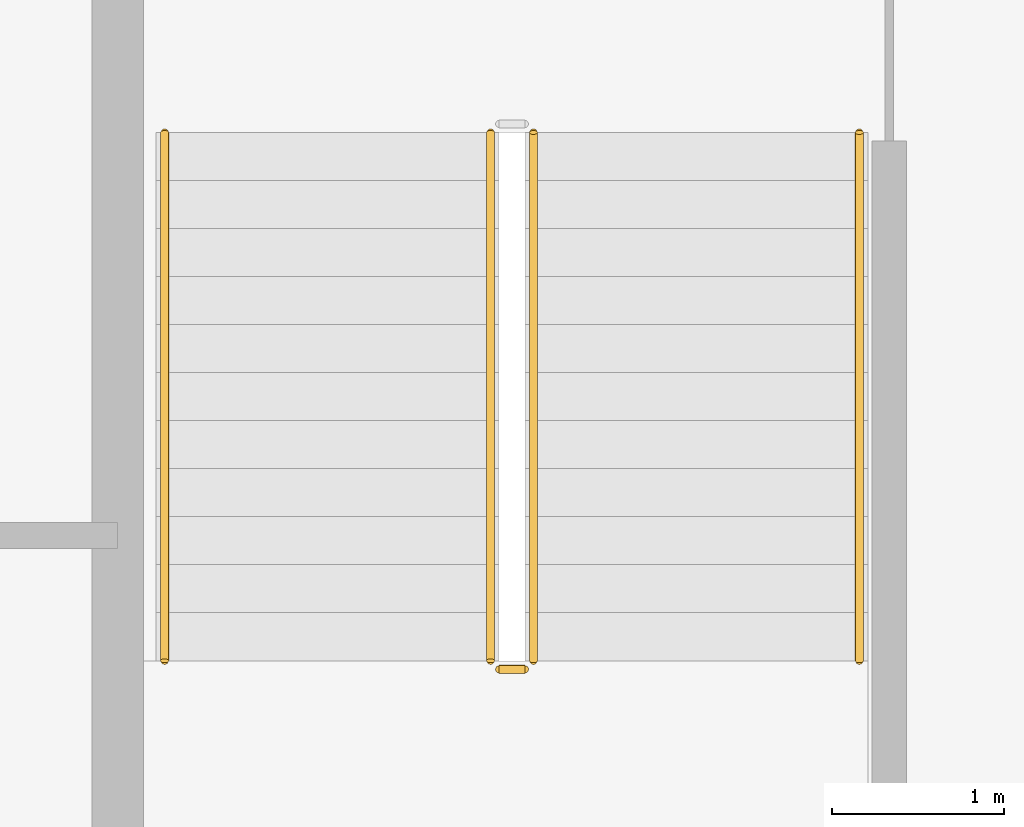
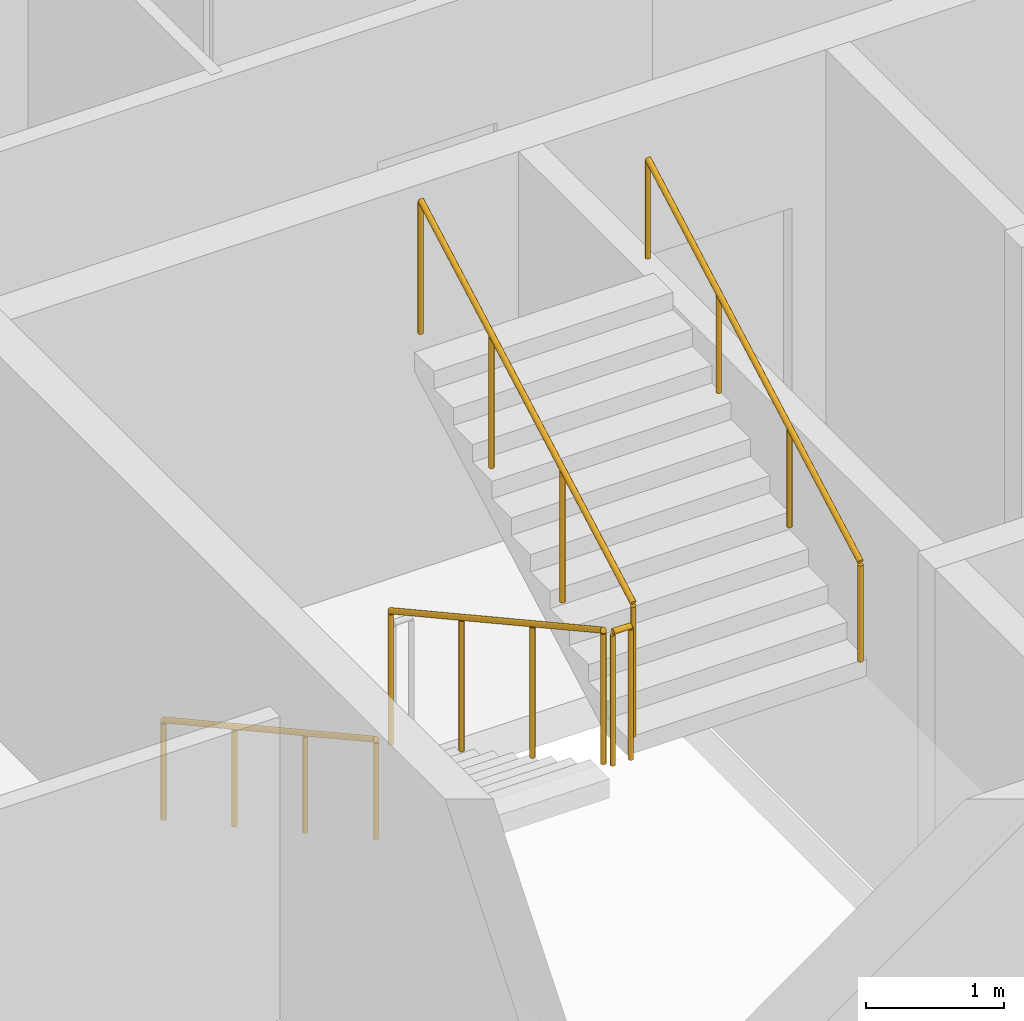
# One storey, part 9 of 11: 5 railings.
"""IFC4 building model written with IfcOpenShell, lengths in metres."""

from ifc_helpers import new_model, si_unit, direction, frame, origin, origin_2d, place, context, subcontext, project, spatial, circle, extrude, material, type_object, element, save


model = new_model("IFC4")

# Units and contexts
model_context = context("Model", 3, precision=1e-05, world=origin(), true_north=direction((0.0, 1.0)))
body_context = subcontext(model_context, "Body", "Model", "MODEL_VIEW")
ifc_project = project(units=[si_unit("LENGTHUNIT", "METRE"), si_unit("AREAUNIT", "SQUARE_METRE"), si_unit("VOLUMEUNIT", "CUBIC_METRE"), si_unit("PLANEANGLEUNIT", "RADIAN"), si_unit("MASSUNIT", "GRAM", prefix="KILO")], contexts=[model_context])

# Site, building, storey
site_placement = place(None, origin())
site = spatial("IfcSite", under=ifc_project, at=site_placement, CompositionType="ELEMENT")
building_placement = place(site_placement, origin())
building = spatial("IfcBuilding", under=site, at=building_placement, Name="Caravel Reach Hotel and Residences", CompositionType="ELEMENT")
storey_placement = place(building_placement, frame((0.0, 0.0, 271.199951171875)))
storey = spatial("IfcBuildingStorey", under=building, at=storey_placement, Name="L69", CompositionType="ELEMENT", Elevation=271.199951171875)

# Railings
ifc_material_1 = material(Name="Steel balustrade with glass infill", Category="steel")
railing_type_1 = type_object("IfcRailingType", Name="Guard 1200", PredefinedType="GUARDRAIL", material=ifc_material_1)
railing_1_placement = place(storey_placement, frame((20.175048828125, 29.35009765625, 0.154296875)))
element("IfcRailing", 1, at=railing_1_placement, inside=storey, type_object=railing_type_1, Name="L69 ST-A stair guard 1", PredefinedType="GUARDRAIL", context=body_context, shape_type="SweptSolid", body=[
    extrude(circle(Radius=0.02392578125, at=origin_2d()), frame((0.0, 0.0, 1.17578125), z_axis=(0.0, -0.876004717809, 0.482302534076), x_axis=(1.0, 0.0, 0.0)), (0.0, 0.0, 1.0), 3.51611328125),
    extrude(circle(Radius=0.02099609375, at=origin_2d()), origin(), (0.0, 0.0, 1.0), 1.15185546875),
    extrude(circle(Radius=0.02099609375, at=origin_2d()), frame((0.0, -1.026611328125, 0.565185546875)), (0.0, 0.0, 1.0), 1.15185546875),
    extrude(circle(Radius=0.02099609375, at=origin_2d()), frame((0.0, -2.053466796875, 1.130615234375)), (0.0, 0.0, 1.0), 1.15185546875),
    extrude(circle(Radius=0.02099609375, at=origin_2d()), frame((0.0, -3.080078125, 1.69580078125)), (0.0, 0.0, 1.0), 1.15185546875),
])
railing_2_placement = place(storey_placement, frame((20.22509765625, 26.219970703125, 1.85009765625)))
element("IfcRailing", 2, at=railing_2_placement, inside=storey, type_object=railing_type_1, Name="L69 ST-A stair guard 2", PredefinedType="GUARDRAIL", context=body_context, shape_type="SweptSolid", body=[
    extrude(circle(Radius=0.02392578125, at=origin_2d()), frame((0.0, 0.0, 1.17578125), z_axis=(1.0, 0.0, 0.0), x_axis=(0.0, 1.0, 0.0)), (0.0, 0.0, 1.0), 0.14990234375),
    extrude(circle(Radius=0.02099609375, at=origin_2d()), origin(), (0.0, 0.0, 1.0), 1.15185546875),
    extrude(circle(Radius=0.02099609375, at=origin_2d()), frame((0.14990234375, 0.0, 0.0)), (0.0, 0.0, 1.0), 1.15185546875),
])
railing_3_placement = place(storey_placement, frame((20.425048828125, 26.27001953125, 2.004150390625)))
element("IfcRailing", 3, at=railing_3_placement, inside=storey, type_object=railing_type_1, Name="L69 ST-A stair guard 3", PredefinedType="GUARDRAIL", context=body_context, shape_type="SweptSolid", body=[
    extrude(circle(Radius=0.02392578125, at=origin_2d()), frame((0.0, 0.0, 1.17578125), z_axis=(0.0, 0.876004717809, 0.482302534076), x_axis=(-1.0, 0.0, 0.0)), (0.0, 0.0, 1.0), 3.51611328125),
    extrude(circle(Radius=0.02099609375, at=origin_2d()), origin(), (0.0, 0.0, 1.0), 1.15185546875),
    extrude(circle(Radius=0.02099609375, at=origin_2d()), frame((0.0, 1.026611328125, 0.565185546875)), (0.0, 0.0, 1.0), 1.15185546875),
    extrude(circle(Radius=0.02099609375, at=origin_2d()), frame((0.0, 2.053466796875, 1.130615234375)), (0.0, 0.0, 1.0), 1.15185546875),
    extrude(circle(Radius=0.02099609375, at=origin_2d()), frame((0.0, 3.080078125, 1.69580078125)), (0.0, 0.0, 1.0), 1.15185546875),
])
ifc_material_2 = material(Name="Stainless steel handrail", Category="steel")
railing_type_2 = type_object("IfcRailingType", Name="Handrail 900", PredefinedType="HANDRAIL", material=ifc_material_2)
railing_4_placement = place(storey_placement, frame((18.27490234375, 29.35009765625, 0.154296875)))
element("IfcRailing", 4, at=railing_4_placement, inside=storey, type_object=railing_type_2, Name="L69 ST-A stair handrail 1", PredefinedType="HANDRAIL", context=body_context, shape_type="SweptSolid", body=[
    extrude(circle(Radius=0.02392578125, at=origin_2d()), frame((0.0, 0.0, 0.8759765625), z_axis=(0.0, -0.876004717809, 0.482302534076), x_axis=(1.0, 0.0, 0.0)), (0.0, 0.0, 1.0), 3.51611328125),
    extrude(circle(Radius=0.02099609375, at=origin_2d()), origin(), (0.0, 0.0, 1.0), 0.851806640625),
    extrude(circle(Radius=0.02099609375, at=origin_2d()), frame((0.0, -1.026611328125, 0.565185546875)), (0.0, 0.0, 1.0), 0.851806640625),
    extrude(circle(Radius=0.02099609375, at=origin_2d()), frame((0.0, -2.053466796875, 1.130615234375)), (0.0, 0.0, 1.0), 0.851806640625),
    extrude(circle(Radius=0.02099609375, at=origin_2d()), frame((0.0, -3.080078125, 1.69580078125)), (0.0, 0.0, 1.0), 0.851806640625),
])
railing_5_placement = place(storey_placement, frame((22.324951171875, 26.27001953125, 2.004150390625)))
element("IfcRailing", 5, at=railing_5_placement, inside=storey, type_object=railing_type_2, Name="L69 ST-A stair handrail 2", PredefinedType="HANDRAIL", context=body_context, shape_type="SweptSolid", body=[
    extrude(circle(Radius=0.02392578125, at=origin_2d()), frame((0.0, 0.0, 0.8759765625), z_axis=(0.0, 0.876004717809, 0.482302534076), x_axis=(-1.0, 0.0, 0.0)), (0.0, 0.0, 1.0), 3.51611328125),
    extrude(circle(Radius=0.02099609375, at=origin_2d()), origin(), (0.0, 0.0, 1.0), 0.851806640625),
    extrude(circle(Radius=0.02099609375, at=origin_2d()), frame((0.0, 1.026611328125, 0.565185546875)), (0.0, 0.0, 1.0), 0.851806640625),
    extrude(circle(Radius=0.02099609375, at=origin_2d()), frame((0.0, 2.053466796875, 1.130615234375)), (0.0, 0.0, 1.0), 0.851806640625),
    extrude(circle(Radius=0.02099609375, at=origin_2d()), frame((0.0, 3.080078125, 1.69580078125)), (0.0, 0.0, 1.0), 0.851806640625),
])

save(model, "model.ifc")
